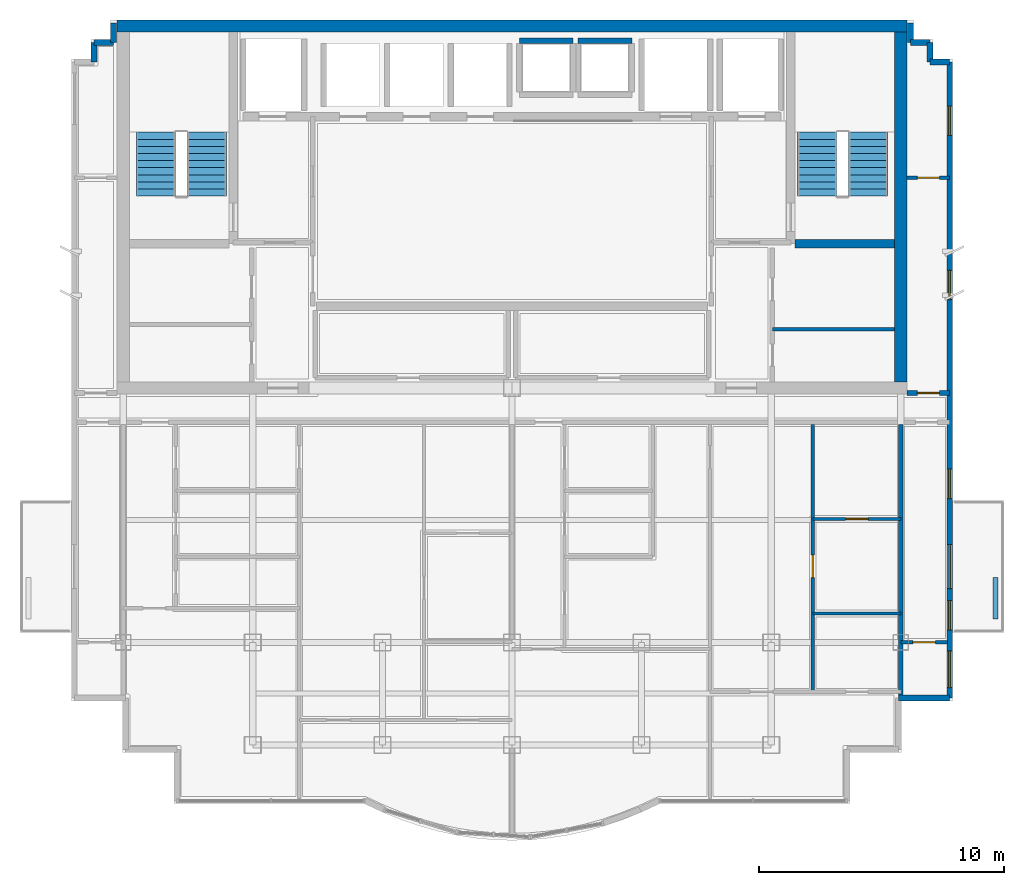
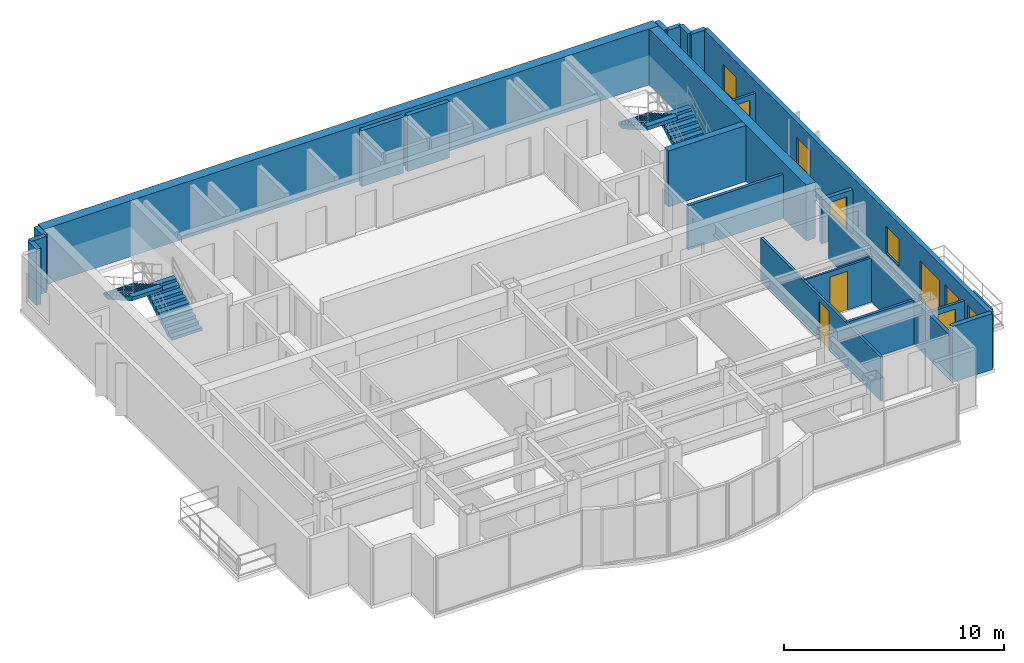
# One storey, part 6 of 9: 23 walls, 6 doors, 5 windows, 4 stair flights, 11 openings, 2 elements without a shape of their own.
"""IFC4 building model written with IfcOpenShell, lengths in metres."""

from ifc_helpers import new_model, si_unit, direction, frame, frame_2d, origin, place, context, subcontext, project, spatial, polyline, rectangle, outline, extrude, material, layer, layer_set, type_object, element, fill, aggregate, save


model = new_model("IFC4")

# Units and contexts
model_context = context("Model", 3, precision=1e-05, world=origin(), true_north=direction((0.0, 1.0)))
body_context = subcontext(model_context, "Body", "Model", "MODEL_VIEW")
ifc_project = project(units=[si_unit("LENGTHUNIT", "METRE"), si_unit("AREAUNIT", "SQUARE_METRE"), si_unit("VOLUMEUNIT", "CUBIC_METRE"), si_unit("PLANEANGLEUNIT", "RADIAN"), si_unit("MASSUNIT", "GRAM", prefix="KILO")], contexts=[model_context])

# Site, building, storey
site_placement = place(None, origin())
site = spatial("IfcSite", under=ifc_project, at=site_placement, CompositionType="ELEMENT")
building_placement = place(site_placement, origin())
building = spatial("IfcBuilding", under=site, at=building_placement, Name="Qianlan Lanfeng Residences", CompositionType="ELEMENT")
storey_placement = place(building_placement, frame((0.0, 0.0, 252.800048828125)))
storey = spatial("IfcBuildingStorey", under=building, at=storey_placement, Name="L70", CompositionType="ELEMENT", Elevation=252.800048828125)

# Walls
ifc_material_1 = material(Name="Concrete C49", Category="concrete")
ifc_layer_1 = layer(ifc_material_1, 0.35009765625)
ifc_layer_set_1 = layer_set([ifc_layer_1], Name="Concrete C49")
wall_type_1 = type_object("IfcWallType", Name="CW-RC-350", PredefinedType="SHEAR", material=ifc_layer_set_1)
wall_1_placement = place(storey_placement, frame((38.074951171875, 31.10009765625, 0.0), z_axis=(0.0, 0.0, 1.0), x_axis=(1.0, 0.0, 0.0)))
element("IfcWall", 1, at=wall_1_placement, inside=storey, type_object=wall_type_1, Name="L70 Core Shear Wall ST2S", PredefinedType="SHEAR", context=body_context, shape_type="SweptSolid", body=[
    extrude(rectangle(XDim=4.074951171875, YDim=0.35009765625, at=frame_2d((2.03759765625, 0.0))), origin(), (0.0, 0.0, 1.0), 3.10986328125),
])
ifc_material_2 = material(Name="Concrete C70", Category="concrete")
ifc_layer_2 = layer(ifc_material_2, 0.5)
ifc_layer_set_2 = layer_set([ifc_layer_2], Name="Concrete C70")
wall_type_2 = type_object("IfcWallType", Name="CW-RC-500", PredefinedType="SHEAR", material=ifc_layer_set_2)
wall_2_placement = place(storey_placement, frame((10.35009765625, 40.0, 0.0), z_axis=(0.0, 0.0, 1.0), x_axis=(1.0, 0.0, 0.0)))
element("IfcWall", 2, at=wall_2_placement, inside=storey, type_object=wall_type_2, Name="L70 Core Shear Wall N", PredefinedType="SHEAR", context=body_context, shape_type="SweptSolid", body=[
    extrude(rectangle(XDim=32.2998046875, YDim=0.5, at=frame_2d((16.14990234375, 0.0))), origin(), (0.0, 0.0, 1.0), 3.10986328125),
])
wall_3_placement = place(storey_placement, frame((42.39990234375, 25.449951171875, 0.0), z_axis=(0.0, 0.0, 1.0), x_axis=(0.0, 1.0, 0.0)))
element("IfcWall", 3, at=wall_3_placement, inside=storey, type_object=wall_type_2, Name="L70 Core Shear Wall E", PredefinedType="SHEAR", context=body_context, shape_type="SweptSolid", body=[
    extrude(rectangle(XDim=14.300048828125, YDim=0.5, at=frame_2d((7.14990234375, 0.0))), origin(), (0.0, 0.0, 1.0), 3.10986328125),
])
ifc_material_3 = material(Name="Concrete C42", Category="concrete")
ifc_layer_3 = layer(ifc_material_3, 0.239990234375)
ifc_layer_set_3 = layer_set([ifc_layer_3], Name="Concrete C42")
wall_type_3 = type_object("IfcWallType", Name="EW-240", PredefinedType="SOLIDWALL", material=ifc_layer_set_3)
wall_4_placement = place(storey_placement, frame((42.300048828125, 12.52001953125, 0.0), z_axis=(0.0, 0.0, 1.0), x_axis=(1.0, 0.0, 0.0)))
element("IfcWall", 4, at=wall_4_placement, inside=storey, type_object=wall_type_3, Name="L70 Exterior Facade Spandrel Wall 11", PredefinedType="SOLIDWALL", context=body_context, shape_type="SweptSolid", body=[
    extrude(rectangle(XDim=2.099853515625, YDim=0.239990234375, at=frame_2d((1.0498046875, 0.0))), origin(), (0.0, 0.0, 1.0), 3.10986328125),
])

# Wall, openings, door, windows
wall_5_placement = place(storey_placement, frame((44.39990234375, 12.52001953125, 0.0), z_axis=(0.0, 0.0, 1.0), x_axis=(0.0, 1.0, 0.0)))
wall_5 = element("IfcWall", 5, at=wall_5_placement, inside=storey, type_object=wall_type_3, Name="L70 Terrace/Balcony Access Exterior Wall 12", PredefinedType="SOLIDWALL", context=body_context, shape_type="SweptSolid", body=[
    extrude(rectangle(XDim=26.010009765625, YDim=0.239990234375, at=frame_2d((13.0048828125, 0.0))), origin(), (0.0, 0.0, 1.0), 3.10986328125),
])
opening_1_placement = place(wall_5_placement, frame((4.47998046875, 0.0, 0.0)))
opening_1 = element("IfcOpeningElement", 6, at=opening_1_placement, cuts=wall_5, Name="Opening L70-D-EB-N", PredefinedType="OPENING", context=body_context, shape_type="SweptSolid", body=[
    extrude(rectangle(XDim=1.800048828125, YDim=2.199951171875, at=frame_2d((0.89990234375, 1.10009765625))), frame((0.0, 0.1298828125, 0.0), z_axis=(0.0, -1.0, 0.0), x_axis=(1.0, 0.0, 0.0)), (0.0, 0.0, 1.0), 0.260009765625),
])
opening_2_placement = place(wall_5_placement, frame((0.426025390625, 0.0, 0.75)))
opening_2 = element("IfcOpeningElement", 7, at=opening_2_placement, cuts=wall_5, Name="Opening W-02", PredefinedType="OPENING", context=body_context, shape_type="SweptSolid", body=[
    extrude(rectangle(XDim=1.5, YDim=1.60009765625, at=frame_2d((0.75, 0.800048828125))), frame((0.0, 0.1298828125, 0.0), z_axis=(0.0, -1.0, 0.0), x_axis=(1.0, 0.0, 0.0)), (0.0, 0.0, 1.0), 0.260009765625),
])
opening_3_placement = place(wall_5_placement, frame((2.783935546875, 0.0, 0.75)))
opening_3 = element("IfcOpeningElement", 8, at=opening_3_placement, cuts=wall_5, Name="Opening W-03", PredefinedType="OPENING", context=body_context, shape_type="SweptSolid", body=[
    extrude(rectangle(XDim=1.199951171875, YDim=1.5, at=frame_2d((0.60009765625, 0.75))), frame((0.0, 0.1298828125, 0.0), z_axis=(0.0, -1.0, 0.0), x_axis=(1.0, 0.0, 0.0)), (0.0, 0.0, 1.0), 0.260009765625),
])
opening_4_placement = place(wall_5_placement, frame((8.159912109375, 0.0, 0.75)))
opening_4 = element("IfcOpeningElement", 9, at=opening_4_placement, cuts=wall_5, Name="Opening W-03", PredefinedType="OPENING", context=body_context, shape_type="SweptSolid", body=[
    extrude(rectangle(XDim=1.199951171875, YDim=1.5, at=frame_2d((0.60009765625, 0.75))), frame((0.0, 0.1298828125, 0.0), z_axis=(0.0, -1.0, 0.0), x_axis=(1.0, 0.0, 0.0)), (0.0, 0.0, 1.0), 0.260009765625),
])
opening_5_placement = place(wall_5_placement, frame((16.2958984375, 0.0, 0.75)))
opening_5 = element("IfcOpeningElement", 10, at=opening_5_placement, cuts=wall_5, Name="Opening W-03", PredefinedType="OPENING", context=body_context, shape_type="SweptSolid", body=[
    extrude(rectangle(XDim=1.199951171875, YDim=1.5, at=frame_2d((0.60009765625, 0.75))), frame((0.0, 0.1298828125, 0.0), z_axis=(0.0, -1.0, 0.0), x_axis=(1.0, 0.0, 0.0)), (0.0, 0.0, 1.0), 0.260009765625),
])
opening_6_placement = place(wall_5_placement, frame((23.009033203125, 0.0, 0.75)))
opening_6 = element("IfcOpeningElement", 11, at=opening_6_placement, cuts=wall_5, Name="Opening W-03", PredefinedType="OPENING", context=body_context, shape_type="SweptSolid", body=[
    extrude(rectangle(XDim=1.199951171875, YDim=1.5, at=frame_2d((0.60009765625, 0.75))), frame((0.0, 0.1298828125, 0.0), z_axis=(0.0, -1.0, 0.0), x_axis=(1.0, 0.0, 0.0)), (0.0, 0.0, 1.0), 0.260009765625),
])
ifc_material_4 = material(Name="Anodised Bronze Aluminium Framed Glass", Category="aluminium")
door_type_1 = type_object("IfcDoorType", Name="DT-BAL1", OperationType="NOTDEFINED", PredefinedType="DOOR", material=ifc_material_4)
door_1_placement = place(opening_1_placement, frame((1.800048828125, 0.0, 0.0), z_axis=(0.0, 0.0, 1.0), x_axis=(-1.0, 0.0, 0.0)))
door_1 = element("IfcDoor", 12, at=door_1_placement, inside=storey, type_object=door_type_1, Name="L70 Exterior Access Door EB-N", OperationType="DOUBLE_DOOR_SLIDING", OverallHeight=2.199951171875, OverallWidth=1.800048828125, PredefinedType="DOOR", context=body_context, shape_type="SweptSolid", body=[
    extrude(rectangle(XDim=1.800048828125, YDim=2.199951171875, at=frame_2d((0.89990234375, 1.10009765625))), frame((0.0, 0.02490234375, 0.0), z_axis=(0.0, -1.0, 0.0), x_axis=(1.0, 0.0, 0.0)), (0.0, 0.0, 1.0), 0.050048828125),
])
fill(opening_1, door_1)
ifc_material_5 = material(Name="Anodised Bronze Aluminium Framed Double Glazing", Category="aluminium")
window_type_1 = type_object("IfcWindowType", Name="W-02", PartitioningType="SINGLE_PANEL", PredefinedType="WINDOW", material=ifc_material_5)
window_1_placement = place(opening_2_placement, origin())
window_1 = element("IfcWindow", 13, at=window_1_placement, inside=storey, type_object=window_type_1, Name="L70 Exterior Window W-06", OverallHeight=1.60009765625, OverallWidth=1.5, PartitioningType="SINGLE_PANEL", PredefinedType="WINDOW", context=body_context, shape_type="SweptSolid", body=[
    extrude(rectangle(XDim=1.5, YDim=1.60009765625, at=frame_2d((0.75, 0.800048828125))), frame((0.0, 0.030029296875, 0.0), z_axis=(0.0, -1.0, 0.0), x_axis=(1.0, 0.0, 0.0)), (0.0, 0.0, 1.0), 0.06005859375),
])
fill(opening_2, window_1)
window_type_2 = type_object("IfcWindowType", Name="W-03", PartitioningType="SINGLE_PANEL", PredefinedType="WINDOW", material=ifc_material_5)
window_2_placement = place(opening_3_placement, origin())
window_2 = element("IfcWindow", 14, at=window_2_placement, inside=storey, type_object=window_type_2, Name="L70 Facade Bay Window W-03", OverallHeight=1.5, OverallWidth=1.199951171875, PartitioningType="SINGLE_PANEL", PredefinedType="WINDOW", context=body_context, shape_type="SweptSolid", body=[
    extrude(rectangle(XDim=1.199951171875, YDim=1.5, at=frame_2d((0.60009765625, 0.75))), frame((0.0, 0.030029296875, 0.0), z_axis=(0.0, -1.0, 0.0), x_axis=(1.0, 0.0, 0.0)), (0.0, 0.0, 1.0), 0.06005859375),
])
fill(opening_3, window_2)
window_3_placement = place(opening_4_placement, origin())
window_3 = element("IfcWindow", 15, at=window_3_placement, inside=storey, type_object=window_type_2, Name="L70 Facade Bay Window W-03", OverallHeight=1.5, OverallWidth=1.199951171875, PartitioningType="SINGLE_PANEL", PredefinedType="WINDOW", context=body_context, shape_type="SweptSolid", body=[
    extrude(rectangle(XDim=1.199951171875, YDim=1.5, at=frame_2d((0.60009765625, 0.75))), frame((0.0, 0.030029296875, 0.0), z_axis=(0.0, -1.0, 0.0), x_axis=(1.0, 0.0, 0.0)), (0.0, 0.0, 1.0), 0.06005859375),
])
fill(opening_4, window_3)
window_4_placement = place(opening_5_placement, origin())
window_4 = element("IfcWindow", 16, at=window_4_placement, inside=storey, type_object=window_type_2, Name="L70 Facade Bay Window W-03", OverallHeight=1.5, OverallWidth=1.199951171875, PartitioningType="SINGLE_PANEL", PredefinedType="WINDOW", context=body_context, shape_type="SweptSolid", body=[
    extrude(rectangle(XDim=1.199951171875, YDim=1.5, at=frame_2d((0.60009765625, 0.75))), frame((0.0, 0.030029296875, 0.0), z_axis=(0.0, -1.0, 0.0), x_axis=(1.0, 0.0, 0.0)), (0.0, 0.0, 1.0), 0.06005859375),
])
fill(opening_5, window_4)
window_5_placement = place(opening_6_placement, origin())
window_5 = element("IfcWindow", 17, at=window_5_placement, inside=storey, type_object=window_type_2, Name="L70 Facade Bay Window W-03", OverallHeight=1.5, OverallWidth=1.199951171875, PartitioningType="SINGLE_PANEL", PredefinedType="WINDOW", context=body_context, shape_type="SweptSolid", body=[
    extrude(rectangle(XDim=1.199951171875, YDim=1.5, at=frame_2d((0.60009765625, 0.75))), frame((0.0, 0.030029296875, 0.0), z_axis=(0.0, -1.0, 0.0), x_axis=(1.0, 0.0, 0.0)), (0.0, 0.0, 1.0), 0.06005859375),
])
fill(opening_6, window_5)

# Walls
wall_6_placement = place(storey_placement, frame((44.39990234375, 38.530029296875, 0.0), z_axis=(0.0, 0.0, 1.0), x_axis=(-1.0, 0.0, 0.0)))
element("IfcWall", 18, at=wall_6_placement, inside=storey, type_object=wall_type_3, Name="L70 Exterior Facade Spandrel Wall 13", PredefinedType="SOLIDWALL", context=body_context, shape_type="SweptSolid", body=[
    extrude(rectangle(XDim=0.7998046875, YDim=0.239990234375, at=frame_2d((0.39990234375, 0.0))), origin(), (0.0, 0.0, 1.0), 3.10986328125),
])
for number, where, z_axis, x_axis, name in (
    (19, (43.60009765625, 38.530029296875, 0.0), (0.0, 0.0, 1.0), (0.0, 1.0, 0.0), "L70 Exterior Facade Spandrel Wall 14"),
    (20, (43.60009765625, 39.330078125, 0.0), (0.0, 0.0, 1.0), (-1.0, 0.0, 0.0), "L70 Exterior Facade Spandrel Wall 15"),
):
    element("IfcWall", number, at=place(storey_placement, frame(where, z_axis=z_axis, x_axis=x_axis)), inside=storey, type_object=wall_type_3, Name=name, PredefinedType="SOLIDWALL", context=body_context, shape_type="SweptSolid", body=[
        extrude(rectangle(XDim=0.800048828125, YDim=0.239990234375, at=frame_2d((0.39990234375, 0.0))), origin(), (0.0, 0.0, 1.0), 3.10986328125),
    ])
for number, where, z_axis, x_axis, name in (
    (21, (42.800048828125, 39.330078125, 0.0), (0.0, 0.0, 1.0), (0.0, 1.0, 0.0), "L70 Exterior Facade Spandrel Wall 16"),
    (22, (10.199951171875, 40.1298828125, 0.0), (0.0, 0.0, 1.0), (0.0, -1.0, 0.0), "L70 Exterior Facade Spandrel Wall 17"),
):
    element("IfcWall", number, at=place(storey_placement, frame(where, z_axis=z_axis, x_axis=x_axis)), inside=storey, type_object=wall_type_3, Name=name, PredefinedType="SOLIDWALL", context=body_context, shape_type="SweptSolid", body=[
        extrude(rectangle(XDim=0.7998046875, YDim=0.239990234375, at=frame_2d((0.39990234375, 0.0))), origin(), (0.0, 0.0, 1.0), 3.10986328125),
    ])
for number, where, z_axis, x_axis, name in (
    (23, (10.199951171875, 39.330078125, 0.0), (0.0, 0.0, 1.0), (-1.0, 0.0, 0.0), "L70 Exterior Facade Spandrel Wall 18"),
    (24, (9.39990234375, 39.330078125, 0.0), (0.0, 0.0, 1.0), (0.0, -1.0, 0.0), "L70 Exterior Facade Spandrel Wall 19"),
):
    element("IfcWall", number, at=place(storey_placement, frame(where, z_axis=z_axis, x_axis=x_axis)), inside=storey, type_object=wall_type_3, Name=name, PredefinedType="SOLIDWALL", context=body_context, shape_type="SweptSolid", body=[
        extrude(rectangle(XDim=0.800048828125, YDim=0.239990234375, at=frame_2d((0.39990234375, 0.0))), origin(), (0.0, 0.0, 1.0), 3.10986328125),
    ])
ifc_layer_4 = layer(ifc_material_3, 0.199951171875)
ifc_layer_set_4 = layer_set([ifc_layer_4], Name="Concrete C42")
wall_type_4 = type_object("IfcWallType", Name="PL-TREE-200", PredefinedType="PARAPET", material=ifc_layer_set_4)
wall_7_placement = place(storey_placement, frame((46.27001953125, 15.75, 0.0), z_axis=(0.0, 0.0, 1.0), x_axis=(0.0, 1.0, 0.0)))
element("IfcWall", 25, at=wall_7_placement, inside=storey, type_object=wall_type_4, Name="L70 East Tree Planter Curb EB-N", PredefinedType="PARAPET", context=body_context, shape_type="SweptSolid", body=[
    extrude(rectangle(XDim=1.699951171875, YDim=0.199951171875, at=frame_2d((0.85009765625, 0.0))), origin(), (0.0, 0.0, 1.0), 0.64990234375),
])

# Wall, opening, door
ifc_material_6 = material(Name="Demountable Acoustic Framing Partition 110 mm")
ifc_layer_5 = layer(ifc_material_6, 0.110107421875)
ifc_layer_set_5 = layer_set([ifc_layer_5], Name="Demountable Acoustic Framing Partition 110 mm")
wall_type_5 = type_object("IfcWallType", Name="PW-110", PredefinedType="MOVABLE", material=ifc_layer_set_5)
wall_8_placement = place(storey_placement, frame((38.800048828125, 19.840087890625, 0.0), z_axis=(0.0, 0.0, 1.0), x_axis=(1.0, 0.0, 0.0)))
wall_8 = element("IfcWall", 26, at=wall_8_placement, inside=storey, type_object=wall_type_5, Name="L70 U02 Wardrobe Split", PredefinedType="MOVABLE", context=body_context, shape_type="SweptSolid", body=[
    extrude(rectangle(XDim=3.599853515625, YDim=0.110107421875, at=frame_2d((1.7998046875, 0.0))), origin(), (0.0, 0.0, 1.0), 2.449951171875),
])
opening_7_placement = place(wall_8_placement, frame((1.340087890625, 0.0, 0.0)))
opening_7 = element("IfcOpeningElement", 27, at=opening_7_placement, cuts=wall_8, Name="Opening L70-D36", PredefinedType="OPENING", context=body_context, shape_type="SweptSolid", body=[
    extrude(rectangle(XDim=0.919921875, YDim=2.14990234375, at=frame_2d((0.4599609375, 1.074951171875))), frame((0.0, 0.06494140625, 0.0), z_axis=(0.0, -1.0, 0.0), x_axis=(1.0, 0.0, 0.0)), (0.0, 0.0, 1.0), 0.130126953125),
])
ifc_material_7 = material(Name="Glazed Timber Kitchen/Study Door", Category="wood")
door_type_2 = type_object("IfcDoorType", Name="DT-INT", OperationType="NOTDEFINED", PredefinedType="DOOR", material=ifc_material_7)
door_2_placement = place(opening_7_placement, origin())
door_2 = element("IfcDoor", 28, at=door_2_placement, inside=storey, type_object=door_type_2, Name="L70 U02 Dressing Inner Door L70-D36 (DT-INT)", OperationType="SINGLE_SWING_RIGHT", OverallHeight=2.14990234375, OverallWidth=0.919921875, PredefinedType="DOOR", context=body_context, shape_type="SweptSolid", body=[
    extrude(rectangle(XDim=0.919921875, YDim=2.14990234375, at=frame_2d((0.4599609375, 1.074951171875))), frame((0.0, 0.02490234375, 0.0), z_axis=(0.0, -1.0, 0.0), x_axis=(1.0, 0.0, 0.0)), (0.0, 0.0, 1.0), 0.050048828125),
])
fill(opening_7, door_2)

ifc_material_8 = material(Name="Moisture-Resistant Gypsum Partition 135 mm")
ifc_layer_6 = layer(ifc_material_8, 0.135009765625)
ifc_layer_set_6 = layer_set([ifc_layer_6], Name="Moisture-Resistant Gypsum Partition 135 mm")
wall_type_6 = type_object("IfcWallType", Name="PW-135", PredefinedType="PARTITIONING", material=ifc_layer_set_6)
wall_9_placement = place(storey_placement, frame((38.800048828125, 12.779052734375, 0.0), z_axis=(0.0, 0.0, 1.0), x_axis=(0.0, 1.0, 0.0)))
wall_9 = element("IfcWall", 29, at=wall_9_placement, inside=storey, type_object=wall_type_6, Name="L70 U02 Master Passage Wall", PredefinedType="PARTITIONING", context=body_context, shape_type="SweptSolid", body=[
    extrude(rectangle(XDim=10.9208984375, YDim=0.135009765625, at=frame_2d((5.46044921875, 0.0))), origin(), (0.0, 0.0, 1.0), 2.449951171875),
])
opening_8_placement = place(wall_9_placement, frame((4.6708984375, 0.0, 0.0)))
opening_8 = element("IfcOpeningElement", 30, at=opening_8_placement, cuts=wall_9, Name="Opening L70-D35", PredefinedType="OPENING", context=body_context, shape_type="SweptSolid", body=[
    extrude(rectangle(XDim=0.919921875, YDim=2.14990234375, at=frame_2d((0.4599609375, 1.074951171875))), frame((0.0, 0.07763671875, 0.0), z_axis=(0.0, -1.0, 0.0), x_axis=(1.0, 0.0, 0.0)), (0.0, 0.0, 1.0), 0.155029296875),
])
door_3_placement = place(opening_8_placement, origin())
door_3 = element("IfcDoor", 31, at=door_3_placement, inside=storey, type_object=door_type_2, Name="L70 U02 Wardrobe Door L70-D35 (DT-INT)", OperationType="SINGLE_SWING_LEFT", OverallHeight=2.14990234375, OverallWidth=0.919921875, PredefinedType="DOOR", context=body_context, shape_type="SweptSolid", body=[
    extrude(rectangle(XDim=0.919921875, YDim=2.14990234375, at=frame_2d((0.4599609375, 1.074951171875))), frame((0.0, 0.02490234375, 0.0), z_axis=(0.0, -1.0, 0.0), x_axis=(1.0, 0.0, 0.0)), (0.0, 0.0, 1.0), 0.050048828125),
])
fill(opening_8, door_3)

# Wall
wall_10_placement = place(storey_placement, frame((38.800048828125, 15.97900390625, 0.0), z_axis=(0.0, 0.0, 1.0), x_axis=(1.0, 0.0, 0.0)))
element("IfcWall", 32, at=wall_10_placement, inside=storey, type_object=wall_type_6, Name="L70 U02 En-Suite North Wall", PredefinedType="PARTITIONING", context=body_context, shape_type="SweptSolid", body=[
    extrude(rectangle(XDim=3.599853515625, YDim=0.135009765625, at=frame_2d((1.7998046875, 0.0))), origin(), (0.0, 0.0, 1.0), 2.449951171875),
])

# Wall, opening, door
wall_11_placement = place(storey_placement, frame((42.39990234375, 14.800048828125, 0.0), z_axis=(0.0, 0.0, 1.0), x_axis=(1.0, 0.0, 0.0)))
wall_11 = element("IfcWall", 33, at=wall_11_placement, inside=storey, type_object=wall_type_6, Name="L70 SEP Mid Partition", PredefinedType="PARTITIONING", context=body_context, shape_type="SweptSolid", body=[
    extrude(rectangle(XDim=1.900146484375, YDim=0.135009765625, at=frame_2d((0.9501953125, 0.0))), origin(), (0.0, 0.0, 1.0), 2.449951171875),
])
opening_9_placement = place(wall_11_placement, frame((0.489990234375, 0.0, 0.0)))
opening_9 = element("IfcOpeningElement", 34, at=opening_9_placement, cuts=wall_11, Name="Opening L70-D39", PredefinedType="OPENING", context=body_context, shape_type="SweptSolid", body=[
    extrude(rectangle(XDim=0.919921875, YDim=2.14990234375, at=frame_2d((0.4599609375, 1.074951171875))), frame((0.0, 0.07763671875, 0.0), z_axis=(0.0, -1.0, 0.0), x_axis=(1.0, 0.0, 0.0)), (0.0, 0.0, 1.0), 0.155029296875),
])
door_4_placement = place(opening_9_placement, origin())
door_4 = element("IfcDoor", 35, at=door_4_placement, inside=storey, type_object=door_type_2, Name="L70 SEP Inner Door L70-D39 (DT-INT)", OperationType="SINGLE_SWING_RIGHT", OverallHeight=2.14990234375, OverallWidth=0.919921875, PredefinedType="DOOR", context=body_context, shape_type="SweptSolid", body=[
    extrude(rectangle(XDim=0.919921875, YDim=2.14990234375, at=frame_2d((0.4599609375, 1.074951171875))), frame((0.0, 0.02490234375, 0.0), z_axis=(0.0, -1.0, 0.0), x_axis=(1.0, 0.0, 0.0)), (0.0, 0.0, 1.0), 0.050048828125),
])
fill(opening_9, door_4)

wall_12_placement = place(storey_placement, frame((42.64990234375, 33.800048828125, 0.0), z_axis=(0.0, 0.0, 1.0), x_axis=(1.0, 0.0, 0.0)))
wall_12 = element("IfcWall", 36, at=wall_12_placement, inside=storey, type_object=wall_type_6, Name="L70 EW North Wing Wall", PredefinedType="PARTITIONING", context=body_context, shape_type="SweptSolid", body=[
    extrude(rectangle(XDim=1.75, YDim=0.135009765625, at=frame_2d((0.875, 0.0))), origin(), (0.0, 0.0, 1.0), 2.449951171875),
])
opening_10_placement = place(wall_12_placement, frame((0.425048828125, 0.0, 0.0)))
opening_10 = element("IfcOpeningElement", 37, at=opening_10_placement, cuts=wall_12, Name="Opening L70-D43", PredefinedType="OPENING", context=body_context, shape_type="SweptSolid", body=[
    extrude(rectangle(XDim=0.89990234375, YDim=2.14990234375, at=frame_2d((0.449951171875, 1.074951171875))), frame((0.0, 0.07763671875, 0.0), z_axis=(0.0, -1.0, 0.0), x_axis=(1.0, 0.0, 0.0)), (0.0, 0.0, 1.0), 0.155029296875),
])
ifc_material_9 = material(Name="Moisture-Resistant Timber Leaf", Category="wood")
door_type_3 = type_object("IfcDoorType", Name="DT-WC", OperationType="NOTDEFINED", PredefinedType="DOOR", material=ifc_material_9)
door_5_placement = place(opening_10_placement, origin())
door_5 = element("IfcDoor", 38, at=door_5_placement, inside=storey, type_object=door_type_3, Name="L70 EW Inner Salon Door L70-D43 (DT-WC)", OperationType="SINGLE_SWING_RIGHT", OverallHeight=2.14990234375, OverallWidth=0.89990234375, PredefinedType="DOOR", context=body_context, shape_type="SweptSolid", body=[
    extrude(rectangle(XDim=0.89990234375, YDim=2.14990234375, at=frame_2d((0.449951171875, 1.074951171875))), frame((0.0, 0.02490234375, 0.0), z_axis=(0.0, -1.0, 0.0), x_axis=(1.0, 0.0, 0.0)), (0.0, 0.0, 1.0), 0.050048828125),
])
fill(opening_10, door_5)

# Walls
ifc_material_10 = material(Name="Acoustic Drywall Partition 150 mm")
ifc_layer_7 = layer(ifc_material_10, 0.14990234375)
ifc_layer_set_7 = layer_set([ifc_layer_7], Name="Acoustic Drywall Partition 150 mm")
wall_type_7 = type_object("IfcWallType", Name="PW-150", PredefinedType="PARTITIONING", material=ifc_layer_set_7)
wall_13_placement = place(storey_placement, frame((37.14990234375, 27.60009765625, 0.0), z_axis=(0.0, 0.0, 1.0), x_axis=(1.0, 0.0, 0.0)))
element("IfcWall", 39, at=wall_13_placement, inside=storey, type_object=wall_type_7, Name="L70 Core East Split", PredefinedType="PARTITIONING", context=body_context, shape_type="SweptSolid", body=[
    extrude(rectangle(XDim=5.0, YDim=0.14990234375, at=frame_2d((2.5, 0.0))), origin(), (0.0, 0.0, 1.0), 2.449951171875),
])
ifc_material_11 = material(Name="Double-Layer Acoustic Gypsum Stud Wall 180 mm")
ifc_layer_8 = layer(ifc_material_11, 0.179931640625)
ifc_layer_set_8 = layer_set([ifc_layer_8], Name="Double-Layer Acoustic Gypsum Stud Wall 180 mm")
wall_type_8 = type_object("IfcWallType", Name="PW-180", PredefinedType="PARTITIONING", material=ifc_layer_set_8)
wall_14_placement = place(storey_placement, frame((42.39990234375, 12.6201171875, 0.0), z_axis=(0.0, 0.0, 1.0), x_axis=(0.0, 1.0, 0.0)))
element("IfcWall", 40, at=wall_14_placement, inside=storey, type_object=wall_type_8, Name="L70 Wing Boundary Party Wall E0", PredefinedType="PARTITIONING", context=body_context, shape_type="SweptSolid", body=[
    extrude(rectangle(XDim=11.079833984375, YDim=0.179931640625, at=frame_2d((5.5400390625, 0.0))), origin(), (0.0, 0.0, 1.0), 2.449951171875),
])

# Wall, opening, door
ifc_material_12 = material(Name="Autoclaved Aerated Concrete Blockwork 200 mm", Category="masonry")
ifc_layer_9 = layer(ifc_material_12, 0.199951171875)
ifc_layer_set_9 = layer_set([ifc_layer_9], Name="Autoclaved Aerated Concrete Blockwork 200 mm")
wall_type_9 = type_object("IfcWallType", Name="PW-200", PredefinedType="PARTITIONING", material=ifc_layer_set_9)
wall_15_placement = place(storey_placement, frame((42.64990234375, 25.0, 0.0), z_axis=(0.0, 0.0, 1.0), x_axis=(1.0, 0.0, 0.0)))
wall_15 = element("IfcWall", 41, at=wall_15_placement, inside=storey, type_object=wall_type_9, Name="L70 Corridor NE Wall", PredefinedType="PARTITIONING", context=body_context, shape_type="SweptSolid", body=[
    extrude(rectangle(XDim=1.75, YDim=0.199951171875, at=frame_2d((0.875, 0.0))), origin(), (0.0, 0.0, 1.0), 2.449951171875),
])
opening_11_placement = place(wall_15_placement, frame((0.425048828125, 0.0, 0.0)))
opening_11 = element("IfcOpeningElement", 42, at=opening_11_placement, cuts=wall_15, Name="Opening L70-D44", PredefinedType="OPENING", context=body_context, shape_type="SweptSolid", body=[
    extrude(rectangle(XDim=0.89990234375, YDim=2.14990234375, at=frame_2d((0.449951171875, 1.074951171875))), frame((0.0, 0.10986328125, 0.0), z_axis=(0.0, -1.0, 0.0), x_axis=(1.0, 0.0, 0.0)), (0.0, 0.0, 1.0), 0.219970703125),
])
door_6_placement = place(opening_11_placement, frame((0.89990234375, 0.0, 0.0), z_axis=(0.0, 0.0, 1.0), x_axis=(-1.0, 0.0, 0.0)))
door_6 = element("IfcDoor", 43, at=door_6_placement, inside=storey, type_object=door_type_3, Name="L70 EW Amenity Salon Door L70-D44 (DT-WC)", OperationType="SINGLE_SWING_LEFT", OverallHeight=2.14990234375, OverallWidth=0.89990234375, PredefinedType="DOOR", context=body_context, shape_type="SweptSolid", body=[
    extrude(rectangle(XDim=0.89990234375, YDim=2.14990234375, at=frame_2d((0.449951171875, 1.074951171875))), frame((0.0, 0.02490234375, 0.0), z_axis=(0.0, -1.0, 0.0), x_axis=(1.0, 0.0, 0.0)), (0.0, 0.0, 1.0), 0.050048828125),
])
fill(opening_11, door_6)

# Walls
ifc_layer_10 = layer(ifc_material_1, 0.219970703125)
ifc_layer_set_10 = layer_set([ifc_layer_10], Name="Concrete C49")
wall_type_10 = type_object("IfcWallType", Name="SHW-220", PredefinedType="SOLIDWALL", material=ifc_layer_set_10)
for number, where, z_axis, x_axis, name in (
    (44, (26.800048828125, 39.39990234375, 0.0), (0.0, 0.0, 1.0), (1.0, 0.0, 0.0), "L70 MEP Riser MEP-R1 Shaft Wall N"),
    (45, (29.199951171875, 39.39990234375, 0.0), (0.0, 0.0, 1.0), (1.0, 0.0, 0.0), "L70 MEP Riser MEP-R2 Shaft Wall N"),
):
    element("IfcWall", number, at=place(storey_placement, frame(where, z_axis=z_axis, x_axis=x_axis)), inside=storey, type_object=wall_type_10, Name=name, PredefinedType="SOLIDWALL", context=body_context, shape_type="SweptSolid", body=[
        extrude(rectangle(XDim=2.199951171875, YDim=0.219970703125, at=frame_2d((1.10009765625, 0.0))), origin(), (0.0, 0.0, 1.0), 3.10986328125),
    ])

# Stair, stair flights
stair_type = type_object("IfcStairType", Name="STR-MAIN", PredefinedType="HALF_TURN_STAIR", material=ifc_material_3)
stair_1_placement = place(storey_placement, origin())
stair_1 = element("IfcStair", 46, at=stair_1_placement, inside=storey, type_object=stair_type, Name="L70 Exit Stair ST-1", PredefinedType="HALF_TURN_STAIR")
stair_flight_type = type_object("IfcStairFlightType", Name="FLT-1720", PredefinedType="STRAIGHT", material=ifc_material_3)
stair_flight_1_placement = place(storey_placement, frame((14.02001953125, 33.050048828125, 0.0), z_axis=(0.0, 0.0, 1.0), x_axis=(0.0, 1.0, 0.0)))
stair_flight_1 = element("IfcStairFlight", 47, at=stair_flight_1_placement, type_object=stair_flight_type, Name="ST-1 flight 1", NumberOfRisers=10, NumberOfTreads=9, PredefinedType="STRAIGHT", RiserHeight=0.165, TreadLength=0.29, context=body_context, shape_type="SweptSolid", body=[
    extrude(outline(polyline([(0.0, 0.0), (0.0, 0.1650390625), (0.2900390625, 0.1650390625), (0.2900390625, 0.330078125), (0.580078125, 0.330078125), (0.580078125, 0.4951171875), (0.8701171875, 0.4951171875), (0.8701171875, 0.659912109375), (1.159912109375, 0.659912109375), (1.159912109375, 0.824951171875), (1.449951171875, 0.824951171875), (1.449951171875, 0.989990234375), (1.739990234375, 0.989990234375), (1.739990234375, 1.155029296875), (2.030029296875, 1.155029296875), (2.030029296875, 1.320068359375), (2.320068359375, 1.320068359375), (2.320068359375, 1.485107421875), (2.610107421875, 1.485107421875), (2.610107421875, 1.64990234375), (2.610107421875, 1.278076171875), (0.36376953125, 0.0), (0.0, 0.0)])), frame((0.0, 0.800048828125, 0.0), z_axis=(0.0, -1.0, 0.0), x_axis=(1.0, 0.0, 0.0)), (0.0, 0.0, 1.0), 1.60009765625),
])
stair_flight_2_placement = place(storey_placement, frame((11.93994140625, 35.659912109375, 1.64990234375), z_axis=(0.0, 0.0, 1.0), x_axis=(0.0, -1.0, 0.0)))
stair_flight_2 = element("IfcStairFlight", 48, at=stair_flight_2_placement, type_object=stair_flight_type, Name="ST-1 flight 2", NumberOfRisers=10, NumberOfTreads=9, PredefinedType="STRAIGHT", RiserHeight=0.165, TreadLength=0.29, context=body_context, shape_type="SweptSolid", body=[
    extrude(outline(polyline([(0.0, 0.0), (0.0, 0.1650390625), (0.2900390625, 0.1650390625), (0.2900390625, 0.330078125), (0.580078125, 0.330078125), (0.580078125, 0.4951171875), (0.8701171875, 0.4951171875), (0.8701171875, 0.659912109375), (1.159912109375, 0.659912109375), (1.159912109375, 0.824951171875), (1.449951171875, 0.824951171875), (1.449951171875, 0.989990234375), (1.739990234375, 0.989990234375), (1.739990234375, 1.155029296875), (2.030029296875, 1.155029296875), (2.030029296875, 1.320068359375), (2.320068359375, 1.320068359375), (2.320068359375, 1.485107421875), (2.610107421875, 1.485107421875), (2.610107421875, 1.64990234375), (2.610107421875, 1.278076171875), (0.36376953125, 0.0), (0.0, 0.0)])), frame((0.0, 0.800048828125, 0.0), z_axis=(0.0, -1.0, 0.0), x_axis=(1.0, 0.0, 0.0)), (0.0, 0.0, 1.0), 1.60009765625),
])
aggregate(stair_1, [stair_flight_1, stair_flight_2])

stair_2_placement = place(storey_placement, origin())
stair_2 = element("IfcStair", 49, at=stair_2_placement, inside=storey, type_object=stair_type, Name="L70 Exit Stair ST-2", PredefinedType="HALF_TURN_STAIR")
stair_flight_3_placement = place(storey_placement, frame((41.06005859375, 33.050048828125, 0.0), z_axis=(0.0, 0.0, 1.0), x_axis=(0.0, 1.0, 0.0)))
stair_flight_3 = element("IfcStairFlight", 50, at=stair_flight_3_placement, type_object=stair_flight_type, Name="ST-2 flight 1", NumberOfRisers=10, NumberOfTreads=9, PredefinedType="STRAIGHT", RiserHeight=0.165, TreadLength=0.29, context=body_context, shape_type="SweptSolid", body=[
    extrude(outline(polyline([(0.0, 0.0), (0.0, 0.1650390625), (0.2900390625, 0.1650390625), (0.2900390625, 0.330078125), (0.580078125, 0.330078125), (0.580078125, 0.4951171875), (0.8701171875, 0.4951171875), (0.8701171875, 0.659912109375), (1.159912109375, 0.659912109375), (1.159912109375, 0.824951171875), (1.449951171875, 0.824951171875), (1.449951171875, 0.989990234375), (1.739990234375, 0.989990234375), (1.739990234375, 1.155029296875), (2.030029296875, 1.155029296875), (2.030029296875, 1.320068359375), (2.320068359375, 1.320068359375), (2.320068359375, 1.485107421875), (2.610107421875, 1.485107421875), (2.610107421875, 1.64990234375), (2.610107421875, 1.278076171875), (0.36376953125, 0.0), (0.0, 0.0)])), frame((0.0, 0.800048828125, 0.0), z_axis=(0.0, -1.0, 0.0), x_axis=(1.0, 0.0, 0.0)), (0.0, 0.0, 1.0), 1.60009765625),
])
stair_flight_4_placement = place(storey_placement, frame((38.97998046875, 35.659912109375, 1.64990234375), z_axis=(0.0, 0.0, 1.0), x_axis=(0.0, -1.0, 0.0)))
stair_flight_4 = element("IfcStairFlight", 51, at=stair_flight_4_placement, type_object=stair_flight_type, Name="ST-2 flight 2", NumberOfRisers=10, NumberOfTreads=9, PredefinedType="STRAIGHT", RiserHeight=0.165, TreadLength=0.29, context=body_context, shape_type="SweptSolid", body=[
    extrude(outline(polyline([(0.0, 0.0), (0.0, 0.1650390625), (0.2900390625, 0.1650390625), (0.2900390625, 0.330078125), (0.580078125, 0.330078125), (0.580078125, 0.4951171875), (0.8701171875, 0.4951171875), (0.8701171875, 0.659912109375), (1.159912109375, 0.659912109375), (1.159912109375, 0.824951171875), (1.449951171875, 0.824951171875), (1.449951171875, 0.989990234375), (1.739990234375, 0.989990234375), (1.739990234375, 1.155029296875), (2.030029296875, 1.155029296875), (2.030029296875, 1.320068359375), (2.320068359375, 1.320068359375), (2.320068359375, 1.485107421875), (2.610107421875, 1.485107421875), (2.610107421875, 1.64990234375), (2.610107421875, 1.278076171875), (0.36376953125, 0.0), (0.0, 0.0)])), frame((0.0, 0.800048828125, 0.0), z_axis=(0.0, -1.0, 0.0), x_axis=(1.0, 0.0, 0.0)), (0.0, 0.0, 1.0), 1.60009765625),
])
aggregate(stair_2, [stair_flight_3, stair_flight_4])

save(model, "model.ifc")
